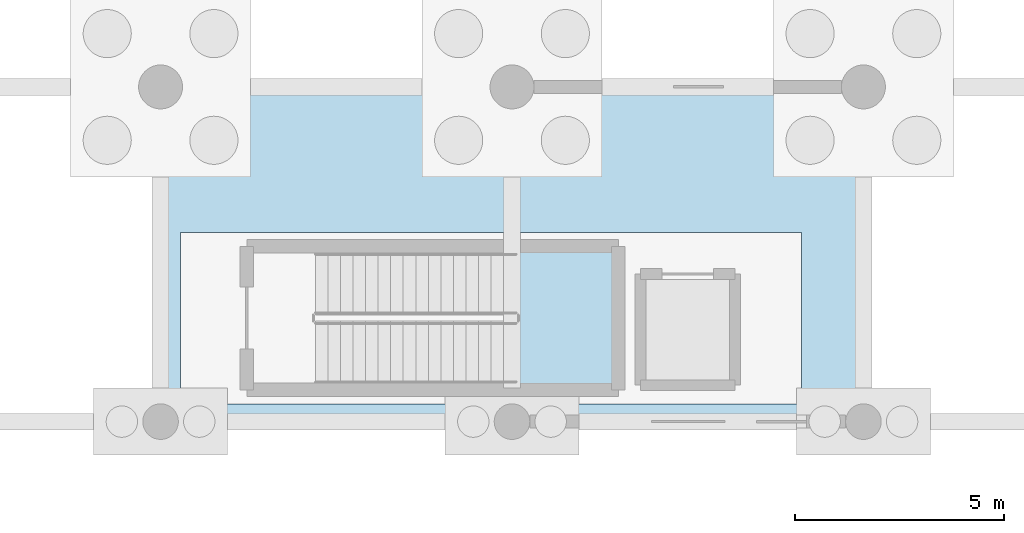
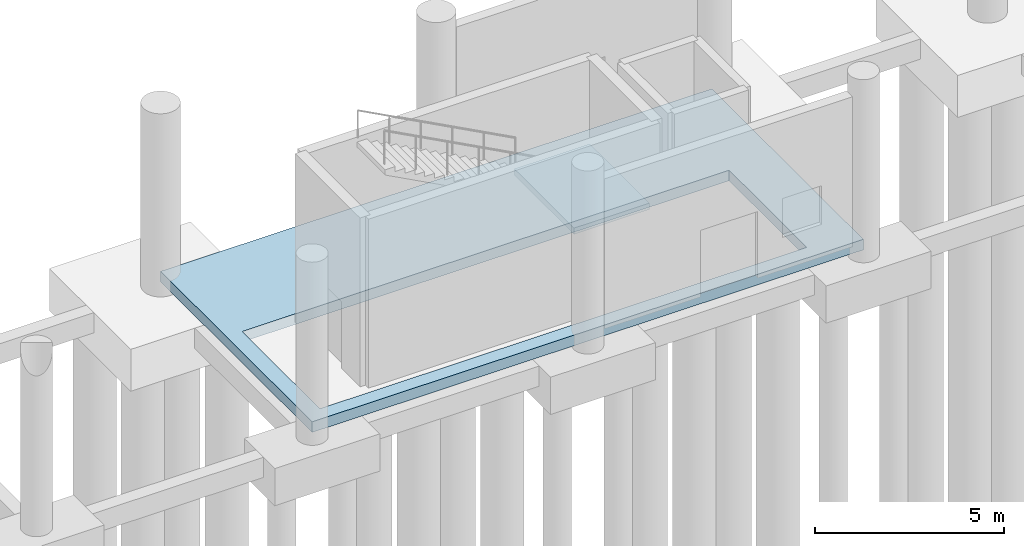
# One storey, part 46 of 83: 2 slabs, 1 element without a shape of its own.
"""IFC4 building model written with IfcOpenShell, lengths in metres."""

from ifc_helpers import new_model, si_unit, direction, frame, origin, place, context, subcontext, project, spatial, polyline, outline, extrude, material, layer, layer_set, type_object, element, aggregate, save


model = new_model("IFC4")

# Units and contexts
model_context = context("Model", 3, precision=1e-05, world=origin(), true_north=direction((0.0, 1.0)))
body_context = subcontext(model_context, "Body", "Model", "MODEL_VIEW")
ifc_project = project(units=[si_unit("LENGTHUNIT", "METRE"), si_unit("AREAUNIT", "SQUARE_METRE"), si_unit("VOLUMEUNIT", "CUBIC_METRE"), si_unit("PLANEANGLEUNIT", "RADIAN"), si_unit("MASSUNIT", "GRAM", prefix="KILO"), si_unit("THERMODYNAMICTEMPERATUREUNIT", "KELVIN"), si_unit("POWERUNIT", "WATT")], contexts=[model_context])

# Site, building, storey
site_placement = place(None, origin())
site = spatial("IfcSite", under=ifc_project, at=site_placement, CompositionType="ELEMENT")
building_placement = place(site_placement, origin())
building = spatial("IfcBuilding", under=site, at=building_placement, Name="Mavoryth Pier Ferry Terminal", CompositionType="ELEMENT")
storey_placement = place(building_placement, origin())
storey = spatial("IfcBuildingStorey", under=building, at=storey_placement, Name="L00", CompositionType="ELEMENT", Elevation=0.0)

# Slab
ifc_material = material(Name="Concrete C35/45", Category="concrete")
ifc_layer_1 = layer(ifc_material, 0.340087890625, Name="Concrete C35/45", Category="concrete")
ifc_layer_set_1 = layer_set([ifc_layer_1], Name="Concrete C35/45 - Slab-Base-QuayApron-340")
slab_type_1 = type_object("IfcSlabType", Name="Slab-Base-QuayApron-340", PredefinedType="BASESLAB", material=ifc_layer_set_1)
slab_1_placement = place(storey_placement, frame((0.0, 0.0, -0.340087890625)))
element("IfcSlab", 1, at=slab_1_placement, inside=storey, type_object=slab_type_1, Name="Slab SLB-V3E-L00", PredefinedType="BASESLAB", context=body_context, shape_type="SweptSolid", body=[
    extrude(outline(polyline([(126.0, 106.0), (142.800048828125, 106.0), (142.800048828125, 114.0), (126.0, 114.0), (126.0, 106.0)]), holes=[polyline([(126.47998046875, 106.425048828125), (141.320068359375, 106.425048828125), (141.320068359375, 110.52490234375), (126.47998046875, 110.52490234375), (126.47998046875, 106.425048828125)])]), origin(), (0.0, 0.0, 1.0), 0.340087890625),
])

# Stair, slab
stair_type = type_object("IfcStairType", Name="Stair-Core-W1500", PredefinedType="TWO_STRAIGHT_RUN_STAIR", material=ifc_material)
stair_placement = place(storey_placement, origin())
stair = element("IfcStair", 2, at=stair_placement, inside=storey, type_object=stair_type, Name="L00 Core C3B Stair", PredefinedType="TWO_STRAIGHT_RUN_STAIR")
ifc_layer_2 = layer(ifc_material, 0.199951171875, Name="Concrete C35/45", Category="concrete")
ifc_layer_set_2 = layer_set([ifc_layer_2], Name="Concrete C35/45 - Slab-Landing-RC-200")
slab_type_2 = type_object("IfcSlabType", Name="Slab-Landing-RC-200", PredefinedType="LANDING", material=ifc_layer_set_2)
slab_2_placement = place(storey_placement, frame((0.0, 0.0, 2.52001953125)))
slab_2 = element("IfcSlab", 3, at=slab_2_placement, type_object=slab_type_2, Name="ST07 landing 1", PredefinedType="LANDING", context=body_context, shape_type="SweptSolid", body=[
    extrude(outline(polyline([(134.5, 106.89990234375), (136.800048828125, 106.89990234375), (136.800048828125, 110.050048828125), (134.5, 110.050048828125), (134.5, 106.89990234375)])), origin(), (0.0, 0.0, 1.0), 0.199951171875),
])
aggregate(stair, [slab_2])

save(model, "model.ifc")
